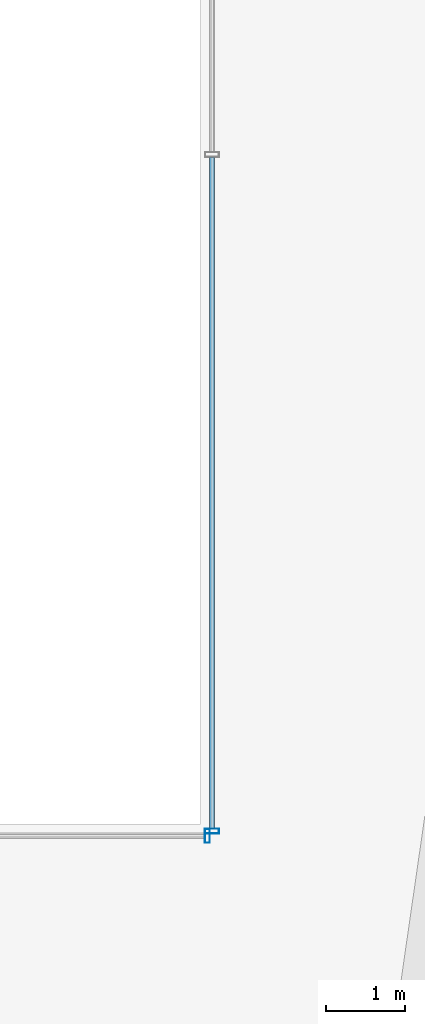
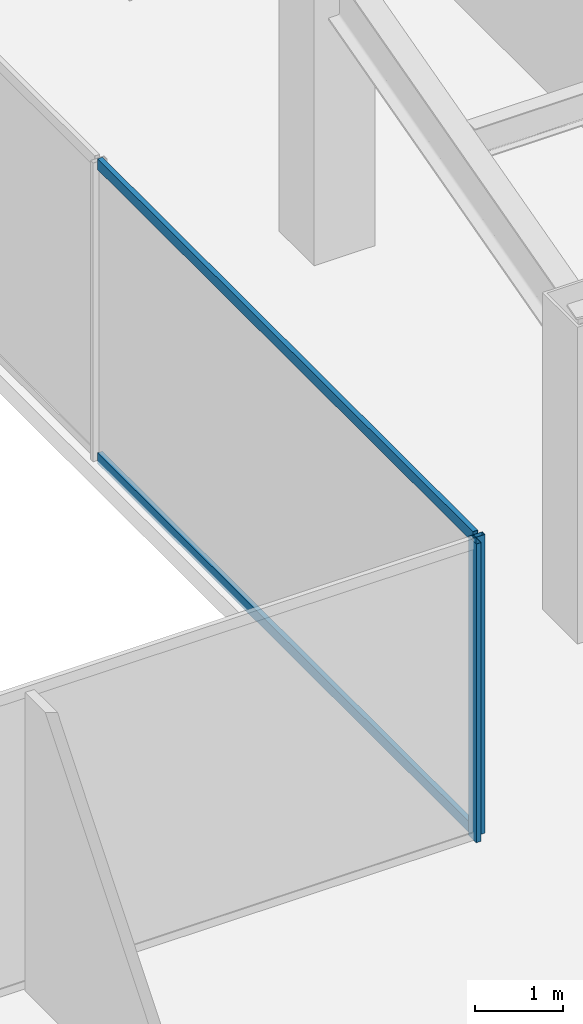
# One storey, part 18 of 47: 4 members, 2 elements without a shape of their own.
"""IFC4 building model written with IfcOpenShell, lengths in metres."""

from ifc_helpers import new_model, si_unit, direction, frame, origin, origin_2d, place, context, subcontext, project, spatial, hollow_rectangle, extrude, material, material_profile, profile_set, type_object, element, aggregate, save


model = new_model("IFC4")

# Units and contexts
model_context = context("Model", 3, precision=1e-05, world=origin(), true_north=direction((0.0, 1.0)))
body_context = subcontext(model_context, "Body", "Model", "MODEL_VIEW")
ifc_project = project(units=[si_unit("LENGTHUNIT", "METRE"), si_unit("AREAUNIT", "SQUARE_METRE"), si_unit("VOLUMEUNIT", "CUBIC_METRE"), si_unit("PLANEANGLEUNIT", "RADIAN"), si_unit("MASSUNIT", "GRAM", prefix="KILO")], contexts=[model_context])

# Site, building, storey
site_placement = place(None, origin())
site = spatial("IfcSite", under=ifc_project, at=site_placement, CompositionType="ELEMENT")
building_placement = place(site_placement, origin())
building = spatial("IfcBuilding", under=site, at=building_placement, Name="Saevonmaru Cultural Tower", CompositionType="ELEMENT")
storey_placement = place(building_placement, frame((0.0, 0.0, 47.199951171875)))
storey = spatial("IfcBuildingStorey", under=building, at=storey_placement, Name="L09", CompositionType="ELEMENT", Elevation=47.199951171875)

# Curtain wall, member
ifc_material = material(Name="Satin Bronze Anodised Aluminium", Category="aluminium")
curtain_wall_type = type_object("IfcCurtainWallType", Name="CW-ATR-GLZ", PredefinedType="NOTDEFINED", material=ifc_material)
curtain_wall_1_placement = place(storey_placement, origin())
curtain_wall_1 = element("IfcCurtainWall", 1, at=curtain_wall_1_placement, inside=storey, type_object=curtain_wall_type, Name="L09 Vertical Atrium Glazed Smoke Screen 1", PredefinedType="NOTDEFINED")
ifc_material_profile_1 = material_profile(ifc_material, hollow_rectangle(XDim=0.06494140625, YDim=0.179931640625, WallThickness=0.00390625, at=origin_2d()), Name="ALU-MULL-180x65x4")
ifc_profile_set_1 = profile_set([ifc_material_profile_1], Name="Satin Bronze Anodised Aluminium")
member_type_1 = type_object("IfcMemberType", Name="ML-CW-INT-180x65", PredefinedType="MULLION", material=ifc_profile_set_1)
member_1_placement = place(storey_placement, frame((35.889892578125, 20.85009765625, 0.0), z_axis=(0.0, 0.0, 1.0), x_axis=(1.0, 0.0, 0.0)))
member_1 = element("IfcMember", 2, at=member_1_placement, type_object=member_type_1, Name="CW-ATR-L09-1 mullion 2", PredefinedType="MULLION", context=body_context, shape_type="SweptSolid", body=[
    extrude(hollow_rectangle(XDim=0.06494140625, YDim=0.179931640625, WallThickness=0.00390625, at=origin_2d()), origin(), (0.0, 0.0, 1.0), 4.150146484375),
])
aggregate(curtain_wall_1, [member_1])

# Curtain wall, members
curtain_wall_2_placement = place(storey_placement, origin())
curtain_wall_2 = element("IfcCurtainWall", 3, at=curtain_wall_2_placement, inside=storey, type_object=curtain_wall_type, Name="L09 Vertical Atrium Glazed Smoke Screen 2", PredefinedType="NOTDEFINED")
member_2_placement = place(storey_placement, frame((35.949951171875, 20.909912109375, 0.0), z_axis=(0.0, 0.0, 1.0), x_axis=(0.0, 1.0, 0.0)))
member_2 = element("IfcMember", 4, at=member_2_placement, type_object=member_type_1, Name="CW-ATR-L09-2 mullion 1", PredefinedType="MULLION", context=body_context, shape_type="SweptSolid", body=[
    extrude(hollow_rectangle(XDim=0.06494140625, YDim=0.179931640625, WallThickness=0.00390625, at=origin_2d()), origin(), (0.0, 0.0, 1.0), 4.150146484375),
])
ifc_material_profile_2 = material_profile(ifc_material, hollow_rectangle(XDim=0.06494140625, YDim=0.14990234375, WallThickness=0.00390625, at=origin_2d()), Name="ALU-TRAN-150x65x4")
ifc_profile_set_2 = profile_set([ifc_material_profile_2], Name="Satin Bronze Anodised Aluminium")
member_type_2 = type_object("IfcMemberType", Name="TR-CW-INT-150x65", PredefinedType="USERDEFINED", material=ifc_profile_set_2)
member_3_placement = place(storey_placement, frame((35.949951171875, 20.9423828125, 0.032470703125), z_axis=(0.0, 1.0, 0.0), x_axis=(-1.0, 0.0, 0.0)))
member_3 = element("IfcMember", 5, at=member_3_placement, type_object=member_type_2, Name="CW-ATR-L09-2 transom 1.1", ObjectType="TRANSOM", PredefinedType="USERDEFINED", context=body_context, shape_type="SweptSolid", body=[
    extrude(hollow_rectangle(XDim=0.06494140625, YDim=0.14990234375, WallThickness=0.00390625, at=origin_2d()), origin(), (0.0, 0.0, 1.0), 8.545166015625),
])
member_4_placement = place(storey_placement, frame((35.949951171875, 20.9423828125, 4.117431640625), z_axis=(0.0, 1.0, 0.0), x_axis=(-1.0, 0.0, 0.0)))
member_4 = element("IfcMember", 6, at=member_4_placement, type_object=member_type_2, Name="CW-ATR-L09-2 transom 1.2", ObjectType="TRANSOM", PredefinedType="USERDEFINED", context=body_context, shape_type="SweptSolid", body=[
    extrude(hollow_rectangle(XDim=0.06494140625, YDim=0.14990234375, WallThickness=0.00390625, at=origin_2d()), origin(), (0.0, 0.0, 1.0), 8.545166015625),
])
aggregate(curtain_wall_2, [member_2, member_3, member_4])

save(model, "model.ifc")
